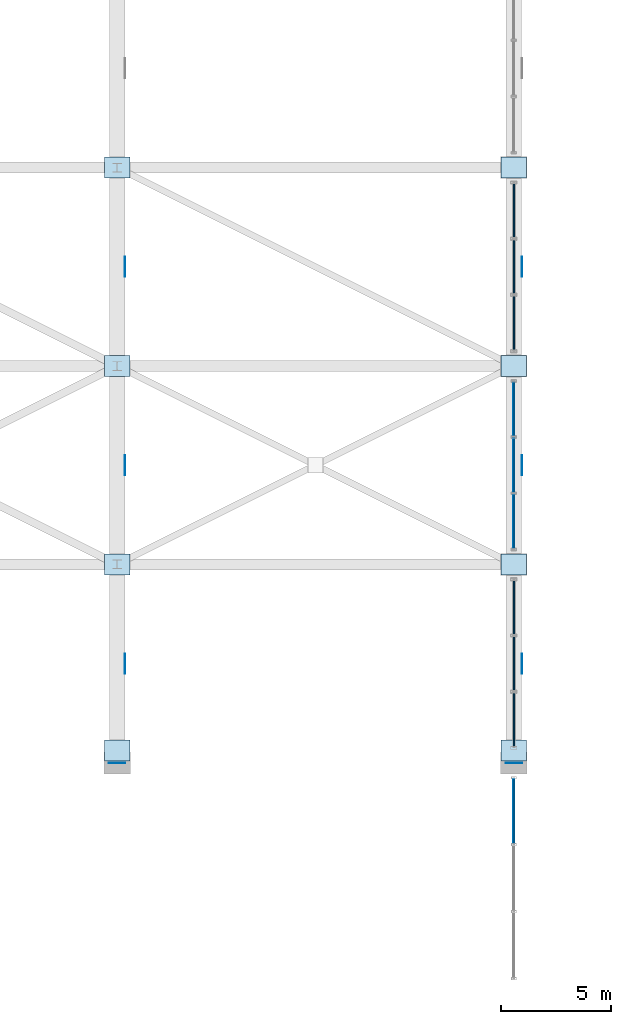
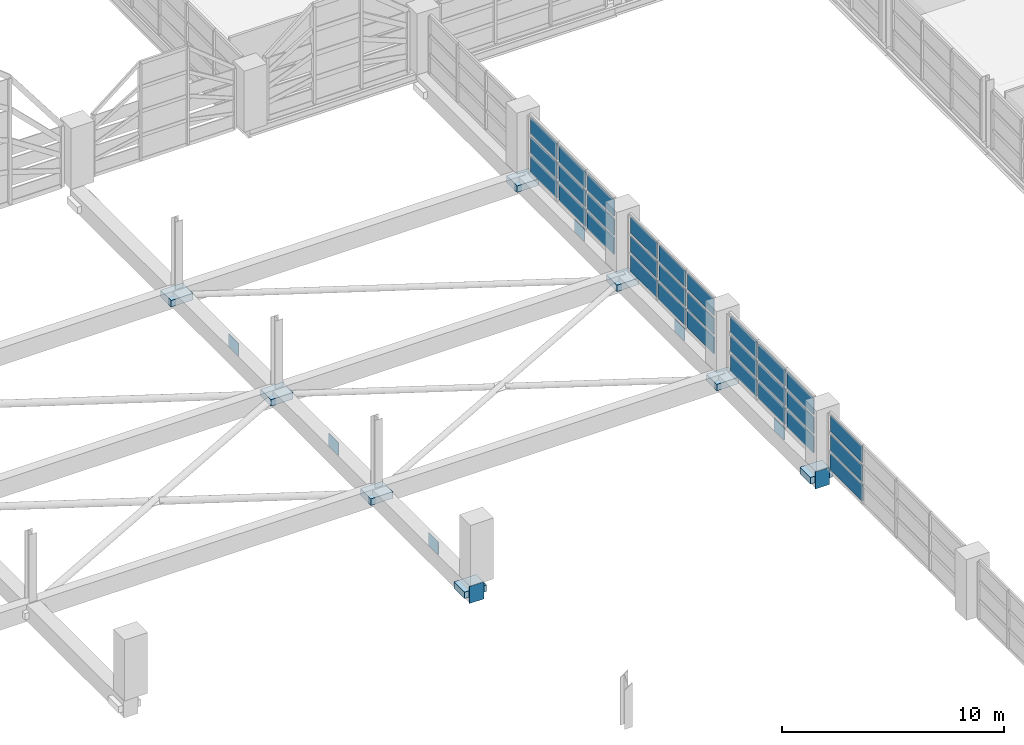
# One storey, part 90 of 116: 46 plates, 4 elements without a shape of their own.
"""IFC4 building model written with IfcOpenShell, lengths in metres."""

from ifc_helpers import new_model, si_unit, direction, frame, origin, origin_2d, place, context, subcontext, project, spatial, rectangle, extrude, material, layer, layer_set, type_object, element, aggregate, save


model = new_model("IFC4")

# Units and contexts
model_context = context("Model", 3, precision=1e-05, world=origin(), true_north=direction((0.0, 1.0)))
body_context = subcontext(model_context, "Body", "Model", "MODEL_VIEW")
ifc_project = project(units=[si_unit("LENGTHUNIT", "METRE"), si_unit("AREAUNIT", "SQUARE_METRE"), si_unit("VOLUMEUNIT", "CUBIC_METRE"), si_unit("PLANEANGLEUNIT", "RADIAN"), si_unit("MASSUNIT", "GRAM", prefix="KILO")], contexts=[model_context])

# Site, building, storey
site_placement = place(None, origin())
site = spatial("IfcSite", under=ifc_project, at=site_placement, CompositionType="ELEMENT")
building_placement = place(site_placement, origin())
building = spatial("IfcBuilding", under=site, at=building_placement, Name="Chuanluo Vaults Station", CompositionType="ELEMENT")
storey_placement = place(building_placement, frame((0.0, 0.0, 10.800048828125)))
storey = spatial("IfcBuildingStorey", under=building, at=storey_placement, Name="L02", CompositionType="ELEMENT", Elevation=10.800048828125)

# Curtain wall, plate
ifc_material_1 = material(Name="Anodised aluminium 6063-T6", Category="aluminium")
curtain_wall_type_1 = type_object("IfcCurtainWallType", Name="CW-SYS-12", PredefinedType="NOTDEFINED", material=ifc_material_1)
curtain_wall_1_placement = place(storey_placement, origin())
curtain_wall_1 = element("IfcCurtainWall", 1, at=curtain_wall_1_placement, inside=storey, type_object=curtain_wall_type_1, Name="Train shed east clerestory CW 54", PredefinedType="NOTDEFINED")
ifc_material_2 = material(Name="Ceramic-fritted spandrel glass", Category="glass")
ifc_layer_1 = layer(ifc_material_2, 0.070068359375)
ifc_layer_set_1 = layer_set([ifc_layer_1], Name="Ceramic-fritted spandrel glass")
plate_type_1 = type_object("IfcPlateType", Name="CWP-SPN-50", PredefinedType="SHEET", material=ifc_layer_set_1)
plate_1_placement = place(storey_placement, frame((126.0, 65.306396484375, 0.080078125), z_axis=(0.0, 0.0, 1.0), x_axis=(0.0, -1.0, 0.0)))
plate_1 = element("IfcPlate", 2, at=plate_1_placement, type_object=plate_type_1, Name="Train shed east clerestory CW 54 glazed panel 1.1", PredefinedType="SHEET", context=body_context, shape_type="SweptSolid", body=[
    extrude(rectangle(XDim=2.87744140625, YDim=0.070068359375, at=origin_2d()), origin(), (0.0, 0.0, 1.0), 0.889892578125),
])

# Curtain wall, plates
ifc_material_3 = material(Name="Anodised aluminium 6063-T6", Category="aluminium")
curtain_wall_type_2 = type_object("IfcCurtainWallType", Name="CW-SYS-14", PredefinedType="NOTDEFINED", material=ifc_material_3)
curtain_wall_2_placement = place(storey_placement, origin())
curtain_wall_2 = element("IfcCurtainWall", 3, at=curtain_wall_2_placement, inside=storey, type_object=curtain_wall_type_2, Name="Train shed east clerestory CW 67", PredefinedType="NOTDEFINED")
plate_2_placement = place(storey_placement, frame((126.0, 74.550048828125, 0.080078125), z_axis=(0.0, 0.0, 1.0), x_axis=(0.0, -1.0, 0.0)))
plate_2 = element("IfcPlate", 4, at=plate_2_placement, type_object=plate_type_1, Name="Train shed east clerestory CW 67 glazed panel 1.1", PredefinedType="SHEET", context=body_context, shape_type="SweptSolid", body=[
    extrude(rectangle(XDim=2.389892578125, YDim=0.070068359375, at=origin_2d()), origin(), (0.0, 0.0, 1.0), 0.889892578125),
])
plate_3_placement = place(storey_placement, frame((126.0, 72.0, 0.080078125), z_axis=(0.0, 0.0, 1.0), x_axis=(0.0, -1.0, 0.0)))
plate_3 = element("IfcPlate", 5, at=plate_3_placement, type_object=plate_type_1, Name="Train shed east clerestory CW 67 glazed panel 2.1", PredefinedType="SHEET", context=body_context, shape_type="SweptSolid", body=[
    extrude(rectangle(XDim=2.389892578125, YDim=0.070068359375, at=origin_2d()), origin(), (0.0, 0.0, 1.0), 0.889892578125),
])
plate_4_placement = place(storey_placement, frame((126.0, 69.449951171875, 0.080078125), z_axis=(0.0, 0.0, 1.0), x_axis=(0.0, -1.0, 0.0)))
plate_4 = element("IfcPlate", 6, at=plate_4_placement, type_object=plate_type_1, Name="Train shed east clerestory CW 67 glazed panel 3.1", PredefinedType="SHEET", context=body_context, shape_type="SweptSolid", body=[
    extrude(rectangle(XDim=2.389892578125, YDim=0.070068359375, at=origin_2d()), origin(), (0.0, 0.0, 1.0), 0.889892578125),
])

ifc_material_4 = material(Name="Anodised aluminium 6063-T6", Category="aluminium")
curtain_wall_type_3 = type_object("IfcCurtainWallType", Name="CW-SYS-16", PredefinedType="NOTDEFINED", material=ifc_material_4)
curtain_wall_3_placement = place(storey_placement, origin())
curtain_wall_3 = element("IfcCurtainWall", 7, at=curtain_wall_3_placement, inside=storey, type_object=curtain_wall_type_3, Name="Train shed east clerestory CW 76", PredefinedType="NOTDEFINED")
plate_5_placement = place(storey_placement, frame((126.0, 83.550048828125, 0.080078125), z_axis=(0.0, 0.0, 1.0), x_axis=(0.0, -1.0, 0.0)))
plate_5 = element("IfcPlate", 8, at=plate_5_placement, type_object=plate_type_1, Name="Train shed east clerestory CW 76 glazed panel 1.1", PredefinedType="SHEET", context=body_context, shape_type="SweptSolid", body=[
    extrude(rectangle(XDim=2.389892578125, YDim=0.070068359375, at=origin_2d()), origin(), (0.0, 0.0, 1.0), 0.889892578125),
])
plate_6_placement = place(storey_placement, frame((126.0, 81.0, 0.080078125), z_axis=(0.0, 0.0, 1.0), x_axis=(0.0, -1.0, 0.0)))
plate_6 = element("IfcPlate", 9, at=plate_6_placement, type_object=plate_type_1, Name="Train shed east clerestory CW 76 glazed panel 2.1", PredefinedType="SHEET", context=body_context, shape_type="SweptSolid", body=[
    extrude(rectangle(XDim=2.389892578125, YDim=0.070068359375, at=origin_2d()), origin(), (0.0, 0.0, 1.0), 0.889892578125),
])
plate_7_placement = place(storey_placement, frame((126.0, 78.449951171875, 0.080078125), z_axis=(0.0, 0.0, 1.0), x_axis=(0.0, -1.0, 0.0)))
plate_7 = element("IfcPlate", 10, at=plate_7_placement, type_object=plate_type_1, Name="Train shed east clerestory CW 76 glazed panel 3.1", PredefinedType="SHEET", context=body_context, shape_type="SweptSolid", body=[
    extrude(rectangle(XDim=2.389892578125, YDim=0.070068359375, at=origin_2d()), origin(), (0.0, 0.0, 1.0), 0.889892578125),
])

ifc_material_5 = material(Name="Anodised aluminium 6063-T6", Category="aluminium")
curtain_wall_type_4 = type_object("IfcCurtainWallType", Name="CW-SYS-18", PredefinedType="NOTDEFINED", material=ifc_material_5)
curtain_wall_4_placement = place(storey_placement, origin())
curtain_wall_4 = element("IfcCurtainWall", 11, at=curtain_wall_4_placement, inside=storey, type_object=curtain_wall_type_4, Name="Train shed east clerestory CW 85", PredefinedType="NOTDEFINED")
plate_8_placement = place(storey_placement, frame((126.0, 92.550048828125, 0.080078125), z_axis=(0.0, 0.0, 1.0), x_axis=(0.0, -1.0, 0.0)))
plate_8 = element("IfcPlate", 12, at=plate_8_placement, type_object=plate_type_1, Name="Train shed east clerestory CW 85 glazed panel 1.1", PredefinedType="SHEET", context=body_context, shape_type="SweptSolid", body=[
    extrude(rectangle(XDim=2.389892578125, YDim=0.070068359375, at=origin_2d()), origin(), (0.0, 0.0, 1.0), 0.889892578125),
])
plate_9_placement = place(storey_placement, frame((126.0, 90.0, 0.080078125), z_axis=(0.0, 0.0, 1.0), x_axis=(0.0, -1.0, 0.0)))
plate_9 = element("IfcPlate", 13, at=plate_9_placement, type_object=plate_type_1, Name="Train shed east clerestory CW 85 glazed panel 2.1", PredefinedType="SHEET", context=body_context, shape_type="SweptSolid", body=[
    extrude(rectangle(XDim=2.389892578125, YDim=0.070068359375, at=origin_2d()), origin(), (0.0, 0.0, 1.0), 0.889892578125),
])
plate_10_placement = place(storey_placement, frame((126.0, 87.449951171875, 0.080078125), z_axis=(0.0, 0.0, 1.0), x_axis=(0.0, -1.0, 0.0)))
plate_10 = element("IfcPlate", 14, at=plate_10_placement, type_object=plate_type_1, Name="Train shed east clerestory CW 85 glazed panel 3.1", PredefinedType="SHEET", context=body_context, shape_type="SweptSolid", body=[
    extrude(rectangle(XDim=2.389892578125, YDim=0.070068359375, at=origin_2d()), origin(), (0.0, 0.0, 1.0), 0.889892578125),
])

# Plate
ifc_material_6 = material(Name="Double-silver Low-E laminated glass", Category="glass")
ifc_layer_2 = layer(ifc_material_6, 0.0439453125)
ifc_layer_set_2 = layer_set([ifc_layer_2], Name="Double-silver Low-E laminated glass")
plate_type_2 = type_object("IfcPlateType", Name="CWP-VIS-28", PredefinedType="CURTAIN_PANEL", material=ifc_layer_set_2)
plate_11_placement = place(storey_placement, frame((126.0, 65.306396484375, 1.1298828125), z_axis=(0.0, 0.0, 1.0), x_axis=(0.0, -1.0, 0.0)))
plate_11 = element("IfcPlate", 15, at=plate_11_placement, type_object=plate_type_2, Name="Train shed east clerestory CW 54 glazed panel 1.2", PredefinedType="CURTAIN_PANEL", context=body_context, shape_type="SweptSolid", body=[
    extrude(rectangle(XDim=2.87744140625, YDim=0.0439453125, at=origin_2d()), origin(), (0.0, 0.0, 1.0), 0.889892578125),
])

plate_12_placement = place(storey_placement, frame((126.0, 65.306396484375, 2.18017578125), z_axis=(0.0, 0.0, 1.0), x_axis=(0.0, -1.0, 0.0)))
plate_12 = element("IfcPlate", 16, at=plate_12_placement, type_object=plate_type_2, Name="Train shed east clerestory CW 54 glazed panel 1.3", PredefinedType="CURTAIN_PANEL", context=body_context, shape_type="SweptSolid", body=[
    extrude(rectangle(XDim=2.87744140625, YDim=0.0439453125, at=origin_2d()), origin(), (0.0, 0.0, 1.0), 0.889892578125),
])

aggregate(curtain_wall_1, [plate_1, plate_11, plate_12])

plate_13_placement = place(storey_placement, frame((126.0, 83.550048828125, 1.1298828125), z_axis=(0.0, 0.0, 1.0), x_axis=(0.0, -1.0, 0.0)))
plate_13 = element("IfcPlate", 17, at=plate_13_placement, type_object=plate_type_2, Name="Train shed east clerestory CW 76 glazed panel 1.2", PredefinedType="CURTAIN_PANEL", context=body_context, shape_type="SweptSolid", body=[
    extrude(rectangle(XDim=2.389892578125, YDim=0.0439453125, at=origin_2d()), origin(), (0.0, 0.0, 1.0), 0.889892578125),
])

plate_14_placement = place(storey_placement, frame((126.0, 83.550048828125, 2.18017578125), z_axis=(0.0, 0.0, 1.0), x_axis=(0.0, -1.0, 0.0)))
plate_14 = element("IfcPlate", 18, at=plate_14_placement, type_object=plate_type_2, Name="Train shed east clerestory CW 76 glazed panel 1.3", PredefinedType="CURTAIN_PANEL", context=body_context, shape_type="SweptSolid", body=[
    extrude(rectangle(XDim=2.389892578125, YDim=0.0439453125, at=origin_2d()), origin(), (0.0, 0.0, 1.0), 0.889892578125),
])

plate_15_placement = place(storey_placement, frame((126.0, 81.0, 1.1298828125), z_axis=(0.0, 0.0, 1.0), x_axis=(0.0, -1.0, 0.0)))
plate_15 = element("IfcPlate", 19, at=plate_15_placement, type_object=plate_type_2, Name="Train shed east clerestory CW 76 glazed panel 2.2", PredefinedType="CURTAIN_PANEL", context=body_context, shape_type="SweptSolid", body=[
    extrude(rectangle(XDim=2.389892578125, YDim=0.0439453125, at=origin_2d()), origin(), (0.0, 0.0, 1.0), 0.889892578125),
])

plate_16_placement = place(storey_placement, frame((126.0, 81.0, 2.18017578125), z_axis=(0.0, 0.0, 1.0), x_axis=(0.0, -1.0, 0.0)))
plate_16 = element("IfcPlate", 20, at=plate_16_placement, type_object=plate_type_2, Name="Train shed east clerestory CW 76 glazed panel 2.3", PredefinedType="CURTAIN_PANEL", context=body_context, shape_type="SweptSolid", body=[
    extrude(rectangle(XDim=2.389892578125, YDim=0.0439453125, at=origin_2d()), origin(), (0.0, 0.0, 1.0), 0.889892578125),
])

plate_17_placement = place(storey_placement, frame((126.0, 78.449951171875, 1.1298828125), z_axis=(0.0, 0.0, 1.0), x_axis=(0.0, -1.0, 0.0)))
plate_17 = element("IfcPlate", 21, at=plate_17_placement, type_object=plate_type_2, Name="Train shed east clerestory CW 76 glazed panel 3.2", PredefinedType="CURTAIN_PANEL", context=body_context, shape_type="SweptSolid", body=[
    extrude(rectangle(XDim=2.389892578125, YDim=0.0439453125, at=origin_2d()), origin(), (0.0, 0.0, 1.0), 0.889892578125),
])

plate_18_placement = place(storey_placement, frame((126.0, 78.449951171875, 2.18017578125), z_axis=(0.0, 0.0, 1.0), x_axis=(0.0, -1.0, 0.0)))
plate_18 = element("IfcPlate", 22, at=plate_18_placement, type_object=plate_type_2, Name="Train shed east clerestory CW 76 glazed panel 3.3", PredefinedType="CURTAIN_PANEL", context=body_context, shape_type="SweptSolid", body=[
    extrude(rectangle(XDim=2.389892578125, YDim=0.0439453125, at=origin_2d()), origin(), (0.0, 0.0, 1.0), 0.889892578125),
])

aggregate(curtain_wall_3, [plate_5, plate_13, plate_14, plate_6, plate_15, plate_16, plate_7, plate_17, plate_18])

ifc_material_7 = material(Name="Double-silver Low-E laminated glass", Category="glass")
ifc_layer_3 = layer(ifc_material_7, 0.053955078125)
ifc_layer_set_3 = layer_set([ifc_layer_3], Name="Double-silver Low-E laminated glass")
plate_type_3 = type_object("IfcPlateType", Name="CWP-VIS-36", PredefinedType="CURTAIN_PANEL", material=ifc_layer_set_3)
plate_19_placement = place(storey_placement, frame((126.0, 74.550048828125, 1.1298828125), z_axis=(0.0, 0.0, 1.0), x_axis=(0.0, -1.0, 0.0)))
plate_19 = element("IfcPlate", 23, at=plate_19_placement, type_object=plate_type_3, Name="Train shed east clerestory CW 67 glazed panel 1.2", PredefinedType="CURTAIN_PANEL", context=body_context, shape_type="SweptSolid", body=[
    extrude(rectangle(XDim=2.389892578125, YDim=0.053955078125, at=origin_2d()), origin(), (0.0, 0.0, 1.0), 0.889892578125),
])

plate_20_placement = place(storey_placement, frame((126.0, 74.550048828125, 2.18017578125), z_axis=(0.0, 0.0, 1.0), x_axis=(0.0, -1.0, 0.0)))
plate_20 = element("IfcPlate", 24, at=plate_20_placement, type_object=plate_type_3, Name="Train shed east clerestory CW 67 glazed panel 1.3", PredefinedType="CURTAIN_PANEL", context=body_context, shape_type="SweptSolid", body=[
    extrude(rectangle(XDim=2.389892578125, YDim=0.053955078125, at=origin_2d()), origin(), (0.0, 0.0, 1.0), 0.889892578125),
])

plate_21_placement = place(storey_placement, frame((126.0, 72.0, 1.1298828125), z_axis=(0.0, 0.0, 1.0), x_axis=(0.0, -1.0, 0.0)))
plate_21 = element("IfcPlate", 25, at=plate_21_placement, type_object=plate_type_3, Name="Train shed east clerestory CW 67 glazed panel 2.2", PredefinedType="CURTAIN_PANEL", context=body_context, shape_type="SweptSolid", body=[
    extrude(rectangle(XDim=2.389892578125, YDim=0.053955078125, at=origin_2d()), origin(), (0.0, 0.0, 1.0), 0.889892578125),
])

plate_22_placement = place(storey_placement, frame((126.0, 72.0, 2.18017578125), z_axis=(0.0, 0.0, 1.0), x_axis=(0.0, -1.0, 0.0)))
plate_22 = element("IfcPlate", 26, at=plate_22_placement, type_object=plate_type_3, Name="Train shed east clerestory CW 67 glazed panel 2.3", PredefinedType="CURTAIN_PANEL", context=body_context, shape_type="SweptSolid", body=[
    extrude(rectangle(XDim=2.389892578125, YDim=0.053955078125, at=origin_2d()), origin(), (0.0, 0.0, 1.0), 0.889892578125),
])

plate_23_placement = place(storey_placement, frame((126.0, 69.449951171875, 1.1298828125), z_axis=(0.0, 0.0, 1.0), x_axis=(0.0, -1.0, 0.0)))
plate_23 = element("IfcPlate", 27, at=plate_23_placement, type_object=plate_type_3, Name="Train shed east clerestory CW 67 glazed panel 3.2", PredefinedType="CURTAIN_PANEL", context=body_context, shape_type="SweptSolid", body=[
    extrude(rectangle(XDim=2.389892578125, YDim=0.053955078125, at=origin_2d()), origin(), (0.0, 0.0, 1.0), 0.889892578125),
])

plate_24_placement = place(storey_placement, frame((126.0, 69.449951171875, 2.18017578125), z_axis=(0.0, 0.0, 1.0), x_axis=(0.0, -1.0, 0.0)))
plate_24 = element("IfcPlate", 28, at=plate_24_placement, type_object=plate_type_3, Name="Train shed east clerestory CW 67 glazed panel 3.3", PredefinedType="CURTAIN_PANEL", context=body_context, shape_type="SweptSolid", body=[
    extrude(rectangle(XDim=2.389892578125, YDim=0.053955078125, at=origin_2d()), origin(), (0.0, 0.0, 1.0), 0.889892578125),
])

aggregate(curtain_wall_2, [plate_2, plate_19, plate_20, plate_3, plate_21, plate_22, plate_4, plate_23, plate_24])

plate_25_placement = place(storey_placement, frame((126.0, 92.550048828125, 1.1298828125), z_axis=(0.0, 0.0, 1.0), x_axis=(0.0, -1.0, 0.0)))
plate_25 = element("IfcPlate", 29, at=plate_25_placement, type_object=plate_type_3, Name="Train shed east clerestory CW 85 glazed panel 1.2", PredefinedType="CURTAIN_PANEL", context=body_context, shape_type="SweptSolid", body=[
    extrude(rectangle(XDim=2.389892578125, YDim=0.053955078125, at=origin_2d()), origin(), (0.0, 0.0, 1.0), 0.889892578125),
])

plate_26_placement = place(storey_placement, frame((126.0, 92.550048828125, 2.18017578125), z_axis=(0.0, 0.0, 1.0), x_axis=(0.0, -1.0, 0.0)))
plate_26 = element("IfcPlate", 30, at=plate_26_placement, type_object=plate_type_3, Name="Train shed east clerestory CW 85 glazed panel 1.3", PredefinedType="CURTAIN_PANEL", context=body_context, shape_type="SweptSolid", body=[
    extrude(rectangle(XDim=2.389892578125, YDim=0.053955078125, at=origin_2d()), origin(), (0.0, 0.0, 1.0), 0.889892578125),
])

plate_27_placement = place(storey_placement, frame((126.0, 90.0, 1.1298828125), z_axis=(0.0, 0.0, 1.0), x_axis=(0.0, -1.0, 0.0)))
plate_27 = element("IfcPlate", 31, at=plate_27_placement, type_object=plate_type_3, Name="Train shed east clerestory CW 85 glazed panel 2.2", PredefinedType="CURTAIN_PANEL", context=body_context, shape_type="SweptSolid", body=[
    extrude(rectangle(XDim=2.389892578125, YDim=0.053955078125, at=origin_2d()), origin(), (0.0, 0.0, 1.0), 0.889892578125),
])

plate_28_placement = place(storey_placement, frame((126.0, 90.0, 2.18017578125), z_axis=(0.0, 0.0, 1.0), x_axis=(0.0, -1.0, 0.0)))
plate_28 = element("IfcPlate", 32, at=plate_28_placement, type_object=plate_type_3, Name="Train shed east clerestory CW 85 glazed panel 2.3", PredefinedType="CURTAIN_PANEL", context=body_context, shape_type="SweptSolid", body=[
    extrude(rectangle(XDim=2.389892578125, YDim=0.053955078125, at=origin_2d()), origin(), (0.0, 0.0, 1.0), 0.889892578125),
])

plate_29_placement = place(storey_placement, frame((126.0, 87.449951171875, 1.1298828125), z_axis=(0.0, 0.0, 1.0), x_axis=(0.0, -1.0, 0.0)))
plate_29 = element("IfcPlate", 33, at=plate_29_placement, type_object=plate_type_3, Name="Train shed east clerestory CW 85 glazed panel 3.2", PredefinedType="CURTAIN_PANEL", context=body_context, shape_type="SweptSolid", body=[
    extrude(rectangle(XDim=2.389892578125, YDim=0.053955078125, at=origin_2d()), origin(), (0.0, 0.0, 1.0), 0.889892578125),
])

plate_30_placement = place(storey_placement, frame((126.0, 87.449951171875, 2.18017578125), z_axis=(0.0, 0.0, 1.0), x_axis=(0.0, -1.0, 0.0)))
plate_30 = element("IfcPlate", 34, at=plate_30_placement, type_object=plate_type_3, Name="Train shed east clerestory CW 85 glazed panel 3.3", PredefinedType="CURTAIN_PANEL", context=body_context, shape_type="SweptSolid", body=[
    extrude(rectangle(XDim=2.389892578125, YDim=0.053955078125, at=origin_2d()), origin(), (0.0, 0.0, 1.0), 0.889892578125),
])

aggregate(curtain_wall_4, [plate_8, plate_25, plate_26, plate_9, plate_27, plate_28, plate_10, plate_29, plate_30])

# Plates
ifc_material_8 = material(Name="Steel Q390C", Category="steel")
ifc_layer_4 = layer(ifc_material_8, 0.0400390625)
ifc_layer_set_4 = layer_set([ifc_layer_4], Name="Steel Q390C")
plate_type_4 = type_object("IfcPlateType", Name="PLT-BASE-40", PredefinedType="USERDEFINED", material=ifc_layer_set_4)
for number, where, z_axis, x_axis, name in (
    (35, (108.0, 94.5, -1.0302734375), (0.0, 0.0, 1.0), (1.0, 0.0, 0.0), "Structural steel node diaphragm 0074"),
    (36, (126.0, 94.5, -1.0302734375), (0.0, 0.0, 1.0), (1.0, 0.0, 0.0), "Structural steel node diaphragm 0079"),
):
    element("IfcPlate", number, at=place(storey_placement, frame(where, z_axis=z_axis, x_axis=x_axis)), inside=storey, type_object=plate_type_4, Name=name, ObjectType="BASE_PLATE", PredefinedType="USERDEFINED", context=body_context, shape_type="SweptSolid", body=[
        extrude(rectangle(XDim=1.14990234375, YDim=0.949951171875, at=origin_2d()), origin(), (0.0, 0.0, 1.0), 0.360107421875),
    ])
ifc_material_9 = material(Name="Steel Q390C", Category="steel")
ifc_layer_5 = layer(ifc_material_9, 0.02587890625)
ifc_layer_set_5 = layer_set([ifc_layer_5], Name="Steel Q390C")
plate_type_5 = type_object("IfcPlateType", Name="PLT-CAP-26", PredefinedType="USERDEFINED", material=ifc_layer_set_5)
for number, where, z_axis, x_axis, name in (
    (37, (108.0, 67.5, -1.320068359375), (0.0, 0.0, 1.0), (1.0, 0.0, 0.0), "Truss TT-7 top chord end cap S"),
    (38, (126.0, 67.5, -1.320068359375), (0.0, 0.0, 1.0), (1.0, 0.0, 0.0), "Truss TT-8 top chord end cap S"),
):
    element("IfcPlate", number, at=place(storey_placement, frame(where, z_axis=z_axis, x_axis=x_axis)), inside=storey, type_object=plate_type_5, Name=name, ObjectType="COVER_PLATE", PredefinedType="USERDEFINED", context=body_context, shape_type="SweptSolid", body=[
        extrude(rectangle(XDim=0.739990234375, YDim=0.02587890625, at=origin_2d()), origin(), (0.0, 0.0, 1.0), 0.93994140625),
    ])
ifc_material_10 = material(Name="Steel Q355C", Category="steel")
ifc_layer_6 = layer(ifc_material_10, 0.02001953125)
ifc_layer_set_6 = layer_set([ifc_layer_6], Name="Steel Q355C")
plate_type_6 = type_object("IfcPlateType", Name="PLT-GUS-20", PredefinedType="USERDEFINED", material=ifc_layer_set_6)
for number, where, z_axis, x_axis, name in (
    (39, (108.0, 76.5, -1.0302734375), (0.0, 0.0, 1.0), (1.0, 0.0, 0.0), "Structural steel node diaphragm 0072"),
    (40, (126.0, 76.5, -1.0302734375), (0.0, 0.0, 1.0), (1.0, 0.0, 0.0), "Structural steel node diaphragm 0077"),
):
    element("IfcPlate", number, at=place(storey_placement, frame(where, z_axis=z_axis, x_axis=x_axis)), inside=storey, type_object=plate_type_6, Name=name, ObjectType="STIFFENER_PLATE", PredefinedType="USERDEFINED", context=body_context, shape_type="SweptSolid", body=[
        extrude(rectangle(XDim=1.14990234375, YDim=0.949951171875, at=origin_2d()), origin(), (0.0, 0.0, 1.0), 0.360107421875),
    ])
ifc_material_11 = material(Name="Steel Q390C", Category="steel")
ifc_layer_7 = layer(ifc_material_11, 0.028076171875)
ifc_layer_set_7 = layer_set([ifc_layer_7], Name="Steel Q390C")
plate_type_7 = type_object("IfcPlateType", Name="PLT-GUS-28", PredefinedType="USERDEFINED", material=ifc_layer_set_7)
for number, where, z_axis, x_axis, name in (
    (41, (108.0, 68.050048828125, -1.0302734375), (0.0, 0.0, 1.0), (1.0, 0.0, 0.0), "Structural steel node diaphragm 0071"),
    (42, (126.0, 68.050048828125, -1.0302734375), (0.0, 0.0, 1.0), (1.0, 0.0, 0.0), "Structural steel node diaphragm 0076"),
):
    element("IfcPlate", number, at=place(storey_placement, frame(where, z_axis=z_axis, x_axis=x_axis)), inside=storey, type_object=plate_type_7, Name=name, ObjectType="GUSSET_PLATE", PredefinedType="USERDEFINED", context=body_context, shape_type="SweptSolid", body=[
        extrude(rectangle(XDim=1.14990234375, YDim=0.949951171875, at=origin_2d()), origin(), (0.0, 0.0, 1.0), 0.360107421875),
    ])
ifc_material_12 = material(Name="Steel Q390C", Category="steel")
ifc_layer_8 = layer(ifc_material_12, 0.031982421875)
ifc_layer_set_8 = layer_set([ifc_layer_8], Name="Steel Q390C")
plate_type_8 = type_object("IfcPlateType", Name="PLT-GUS-32", PredefinedType="USERDEFINED", material=ifc_layer_set_8)
for number, where, z_axis, x_axis, name in (
    (43, (108.364013671875, 72.0, -1.35009765625), (0.0, 0.0, 1.0), (1.0, 0.0, 0.0), "Truss TT-7 top node gusset 1"),
    (44, (108.364013671875, 81.0, -1.35009765625), (0.0, 0.0, 1.0), (1.0, 0.0, 0.0), "Truss TT-7 top node gusset 2"),
    (45, (108.364013671875, 90.0, -1.35009765625), (0.0, 0.0, 1.0), (1.0, 0.0, 0.0), "Truss TT-7 top node gusset 3"),
    (46, (126.364013671875, 72.0, -1.35009765625), (0.0, 0.0, 1.0), (1.0, 0.0, 0.0), "Truss TT-8 top node gusset 1"),
    (47, (126.364013671875, 81.0, -1.35009765625), (0.0, 0.0, 1.0), (1.0, 0.0, 0.0), "Truss TT-8 top node gusset 2"),
    (48, (126.364013671875, 90.0, -1.35009765625), (0.0, 0.0, 1.0), (1.0, 0.0, 0.0), "Truss TT-8 top node gusset 3"),
):
    element("IfcPlate", number, at=place(storey_placement, frame(where, z_axis=z_axis, x_axis=x_axis)), inside=storey, type_object=plate_type_8, Name=name, ObjectType="GUSSET_PLATE", PredefinedType="USERDEFINED", context=body_context, shape_type="SweptSolid", body=[
        extrude(rectangle(XDim=0.031982421875, YDim=0.89990234375, at=origin_2d()), origin(), (0.0, 0.0, 1.0), 0.699951171875),
    ])
ifc_material_13 = material(Name="Steel Q355C", Category="steel")
ifc_layer_9 = layer(ifc_material_13, 0.02197265625)
ifc_layer_set_9 = layer_set([ifc_layer_9], Name="Steel Q355C")
plate_type_9 = type_object("IfcPlateType", Name="PLT-SPL-22", PredefinedType="USERDEFINED", material=ifc_layer_set_9)
for number, where, z_axis, x_axis, name in (
    (49, (108.0, 85.5, -1.0302734375), (0.0, 0.0, 1.0), (1.0, 0.0, 0.0), "Structural steel node diaphragm 0073"),
    (50, (126.0, 85.5, -1.0302734375), (0.0, 0.0, 1.0), (1.0, 0.0, 0.0), "Structural steel node diaphragm 0078"),
):
    element("IfcPlate", number, at=place(storey_placement, frame(where, z_axis=z_axis, x_axis=x_axis)), inside=storey, type_object=plate_type_9, Name=name, ObjectType="SPLICE_PLATE", PredefinedType="USERDEFINED", context=body_context, shape_type="SweptSolid", body=[
        extrude(rectangle(XDim=1.14990234375, YDim=0.949951171875, at=origin_2d()), origin(), (0.0, 0.0, 1.0), 0.360107421875),
    ])

save(model, "model.ifc")
